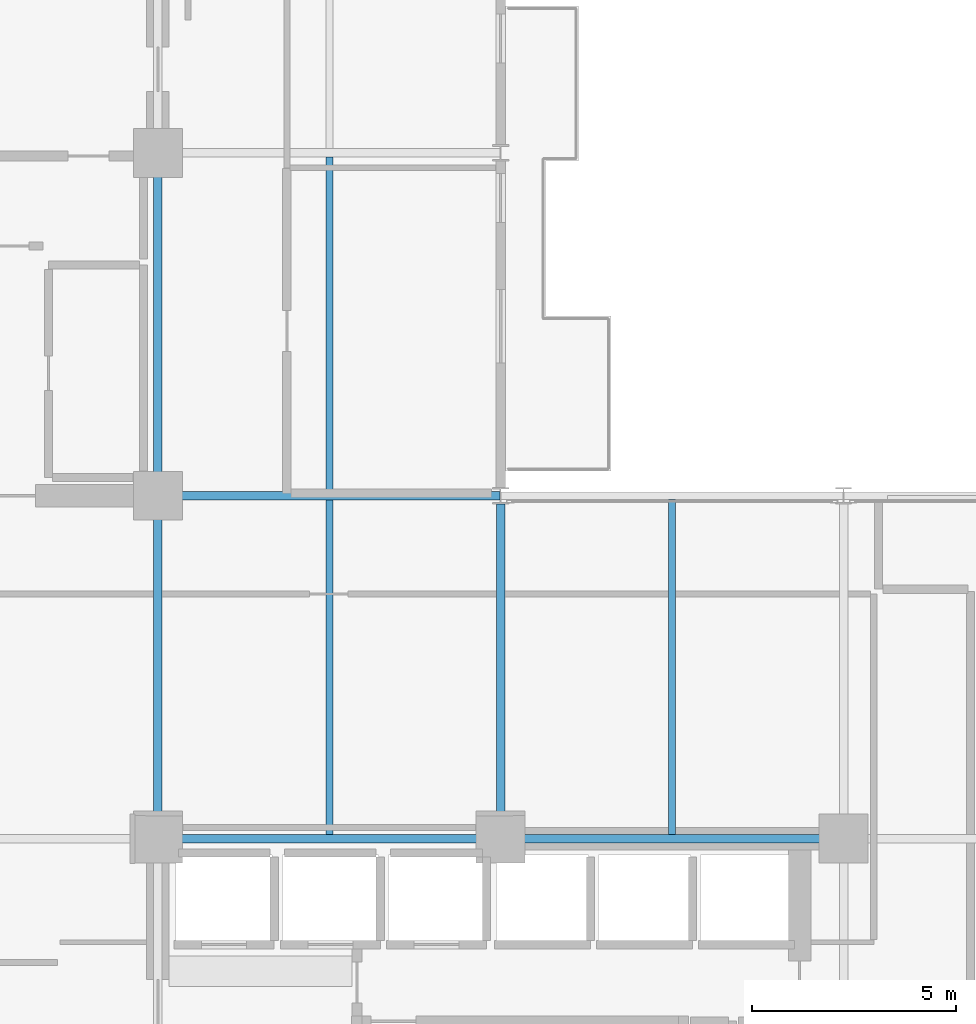
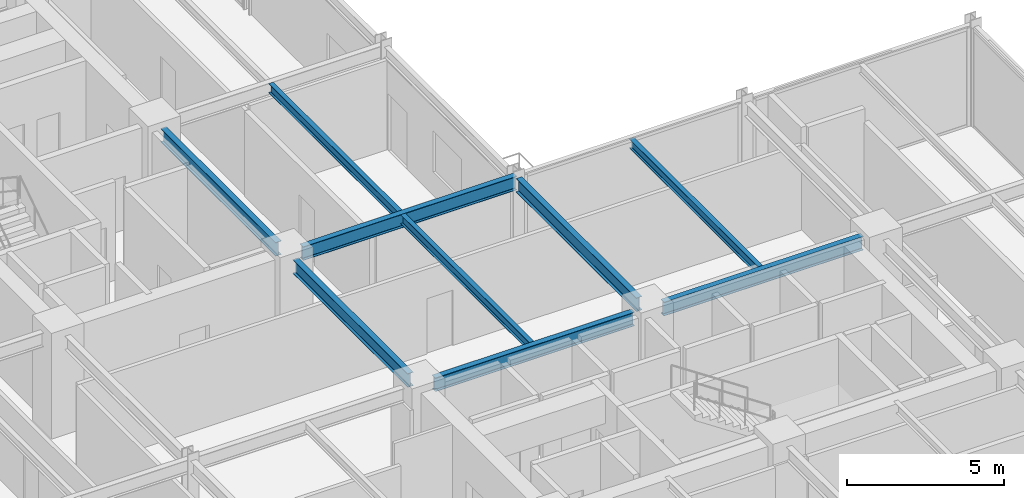
# One storey, part 11 of 29: 9 beams.
"""IFC4 building model written with IfcOpenShell, lengths in metres."""

from ifc_helpers import new_model, si_unit, direction, frame, origin, origin_2d, place, context, subcontext, project, spatial, i_section, extrude, material, material_profile, profile_set, type_object, element, save


model = new_model("IFC4")

# Units and contexts
model_context = context("Model", 3, precision=1e-05, world=origin(), true_north=direction((0.0, 1.0)))
body_context = subcontext(model_context, "Body", "Model", "MODEL_VIEW")
ifc_project = project(units=[si_unit("LENGTHUNIT", "METRE"), si_unit("AREAUNIT", "SQUARE_METRE"), si_unit("VOLUMEUNIT", "CUBIC_METRE"), si_unit("PLANEANGLEUNIT", "RADIAN"), si_unit("MASSUNIT", "GRAM", prefix="KILO")], contexts=[model_context])

# Site, building, storey
site_placement = place(None, origin())
site = spatial("IfcSite", under=ifc_project, at=site_placement, CompositionType="ELEMENT")
building_placement = place(site_placement, origin())
building = spatial("IfcBuilding", under=site, at=building_placement, Name="Nerrivon Quay Data Exchange", CompositionType="ELEMENT")
storey_placement = place(building_placement, frame((0.0, 0.0, 133.60009765625)))
storey = spatial("IfcBuildingStorey", under=building, at=storey_placement, Name="L31", CompositionType="ELEMENT", Elevation=133.60009765625)

# Beams
ifc_material = material(Name="Steel Grade 350", Category="steel")
ifc_material_profile_1 = material_profile(ifc_material, i_section(OverallWidth=0.208984375, OverallDepth=0.532958984375, WebThickness=0.01025390625, FlangeThickness=0.015625, FilletRadius=0.013916015625, at=origin_2d()), Name="530UB92.4")
ifc_profile_set_1 = profile_set([ifc_material_profile_1], Name="Steel Grade 350")
beam_type_1 = type_object("IfcBeamType", Name="BM-G3-530UB92", PredefinedType="BEAM", material=ifc_profile_set_1)
beam_1_placement = place(storey_placement, frame((17.340087890625, 16.800048828125, 3.558349609375), z_axis=(1.0, 0.0, 0.0), x_axis=(0.0, 1.0, 0.0)))
element("IfcBeam", 1, at=beam_1_placement, inside=storey, type_object=beam_type_1, Name="L31 EW Girder Y=16.8 (16.8..25.2)", PredefinedType="BEAM", context=body_context, shape_type="SweptSolid", body=[
    extrude(i_section(OverallWidth=0.208984375, OverallDepth=0.532958984375, WebThickness=0.01025390625, FlangeThickness=0.015625, FilletRadius=0.013916015625, at=origin_2d()), origin(), (0.0, 0.0, 1.0), 7.31982421875),
])
beam_2_placement = place(storey_placement, frame((25.739990234375, 16.800048828125, 3.558349609375), z_axis=(1.0, 0.0, 0.0), x_axis=(0.0, 1.0, 0.0)))
element("IfcBeam", 2, at=beam_2_placement, inside=storey, type_object=beam_type_1, Name="L31 EW Girder Y=16.8 (25.2..33.6)", PredefinedType="BEAM", context=body_context, shape_type="SweptSolid", body=[
    extrude(i_section(OverallWidth=0.208984375, OverallDepth=0.532958984375, WebThickness=0.01025390625, FlangeThickness=0.015625, FilletRadius=0.013916015625, at=origin_2d()), origin(), (0.0, 0.0, 1.0), 7.320068359375),
])
beam_3_placement = place(storey_placement, frame((17.340087890625, 25.199951171875, 3.558349609375), z_axis=(1.0, 0.0, 0.0), x_axis=(0.0, 1.0, 0.0)))
element("IfcBeam", 3, at=beam_3_placement, inside=storey, type_object=beam_type_1, Name="L31 EW Girder Y=25.2 (16.8..25.2)", PredefinedType="BEAM", context=body_context, shape_type="SweptSolid", body=[
    extrude(i_section(OverallWidth=0.208984375, OverallDepth=0.532958984375, WebThickness=0.01025390625, FlangeThickness=0.015625, FilletRadius=0.013916015625, at=origin_2d()), origin(), (0.0, 0.0, 1.0), 7.847412109375),
])
ifc_material_profile_2 = material_profile(ifc_material, i_section(OverallWidth=0.208984375, OverallDepth=0.528076171875, WebThickness=0.009521484375, FlangeThickness=0.01318359375, FilletRadius=0.013916015625, at=origin_2d()), Name="530UB82.0")
ifc_profile_set_2 = profile_set([ifc_material_profile_2], Name="Steel Grade 350")
beam_type_2 = type_object("IfcBeamType", Name="BM-G4-530UB82", PredefinedType="BEAM", material=ifc_profile_set_2)
beam_4_placement = place(storey_placement, frame((16.800048828125, 17.340087890625, 3.560791015625), z_axis=(0.0, 1.0, 0.0), x_axis=(-1.0, 0.0, 0.0)))
element("IfcBeam", 4, at=beam_4_placement, inside=storey, type_object=beam_type_2, Name="L31 NS Girder X=16.8 (16.8..25.2)", PredefinedType="BEAM", context=body_context, shape_type="SweptSolid", body=[
    extrude(i_section(OverallWidth=0.208984375, OverallDepth=0.528076171875, WebThickness=0.009521484375, FlangeThickness=0.01318359375, FilletRadius=0.013916015625, at=origin_2d()), origin(), (0.0, 0.0, 1.0), 7.31982421875),
])
beam_5_placement = place(storey_placement, frame((16.800048828125, 25.739990234375, 3.560791015625), z_axis=(0.0, 1.0, 0.0), x_axis=(-1.0, 0.0, 0.0)))
element("IfcBeam", 5, at=beam_5_placement, inside=storey, type_object=beam_type_2, Name="L31 NS Girder X=16.8 (25.2..33.6)", PredefinedType="BEAM", context=body_context, shape_type="SweptSolid", body=[
    extrude(i_section(OverallWidth=0.208984375, OverallDepth=0.528076171875, WebThickness=0.009521484375, FlangeThickness=0.01318359375, FilletRadius=0.013916015625, at=origin_2d()), origin(), (0.0, 0.0, 1.0), 7.320068359375),
])
beam_6_placement = place(storey_placement, frame((25.199951171875, 17.340087890625, 3.560791015625), z_axis=(0.0, 1.0, 0.0), x_axis=(-1.0, 0.0, 0.0)))
element("IfcBeam", 6, at=beam_6_placement, inside=storey, type_object=beam_type_2, Name="L31 NS Girder X=25.2 (16.8..25.2)", PredefinedType="BEAM", context=body_context, shape_type="SweptSolid", body=[
    extrude(i_section(OverallWidth=0.208984375, OverallDepth=0.528076171875, WebThickness=0.009521484375, FlangeThickness=0.01318359375, FilletRadius=0.013916015625, at=origin_2d()), origin(), (0.0, 0.0, 1.0), 7.659912109375),
])
ifc_material_profile_3 = material_profile(ifc_material, i_section(OverallWidth=0.1708984375, OverallDepth=0.35595703125, WebThickness=0.00732421875, FlangeThickness=0.011474609375, FilletRadius=0.011474609375, at=origin_2d()), Name="360UB50.7")
ifc_profile_set_3 = profile_set([ifc_material_profile_3], Name="Steel Grade 350")
beam_type_3 = type_object("IfcBeamType", Name="BM-J4-360UB51", PredefinedType="JOIST", material=ifc_profile_set_3)
beam_7_placement = place(storey_placement, frame((21.0, 16.904541015625, 3.64697265625), z_axis=(0.0, 1.0, 0.0), x_axis=(-1.0, 0.0, 0.0)))
element("IfcBeam", 7, at=beam_7_placement, inside=storey, type_object=beam_type_3, Name="L31 Secondary Joist X=21.0 (16.8..25.2)", PredefinedType="JOIST", context=body_context, shape_type="SweptSolid", body=[
    extrude(i_section(OverallWidth=0.1708984375, OverallDepth=0.35595703125, WebThickness=0.00732421875, FlangeThickness=0.011474609375, FilletRadius=0.011474609375, at=origin_2d()), origin(), (0.0, 0.0, 1.0), 8.19091796875),
])
beam_8_placement = place(storey_placement, frame((21.0, 25.304443359375, 3.64697265625), z_axis=(0.0, 1.0, 0.0), x_axis=(-1.0, 0.0, 0.0)))
element("IfcBeam", 8, at=beam_8_placement, inside=storey, type_object=beam_type_3, Name="L31 Secondary Joist X=21.0 (25.2..33.6)", PredefinedType="JOIST", context=body_context, shape_type="SweptSolid", body=[
    extrude(i_section(OverallWidth=0.1708984375, OverallDepth=0.35595703125, WebThickness=0.00732421875, FlangeThickness=0.011474609375, FilletRadius=0.011474609375, at=origin_2d()), origin(), (0.0, 0.0, 1.0), 8.191162109375),
])
beam_9_placement = place(storey_placement, frame((29.39990234375, 16.904541015625, 3.64697265625), z_axis=(0.0, 1.0, 0.0), x_axis=(-1.0, 0.0, 0.0)))
element("IfcBeam", 9, at=beam_9_placement, inside=storey, type_object=beam_type_3, Name="L31 Secondary Joist X=29.4 (16.8..25.2)", PredefinedType="JOIST", context=body_context, shape_type="SweptSolid", body=[
    extrude(i_section(OverallWidth=0.1708984375, OverallDepth=0.35595703125, WebThickness=0.00732421875, FlangeThickness=0.011474609375, FilletRadius=0.011474609375, at=origin_2d()), origin(), (0.0, 0.0, 1.0), 8.20654296875),
])

save(model, "model.ifc")
